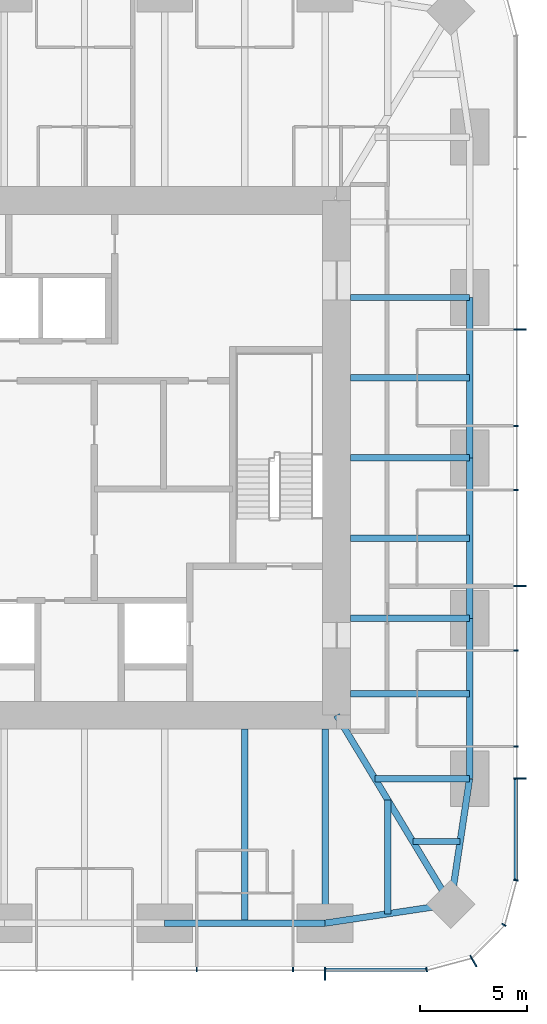
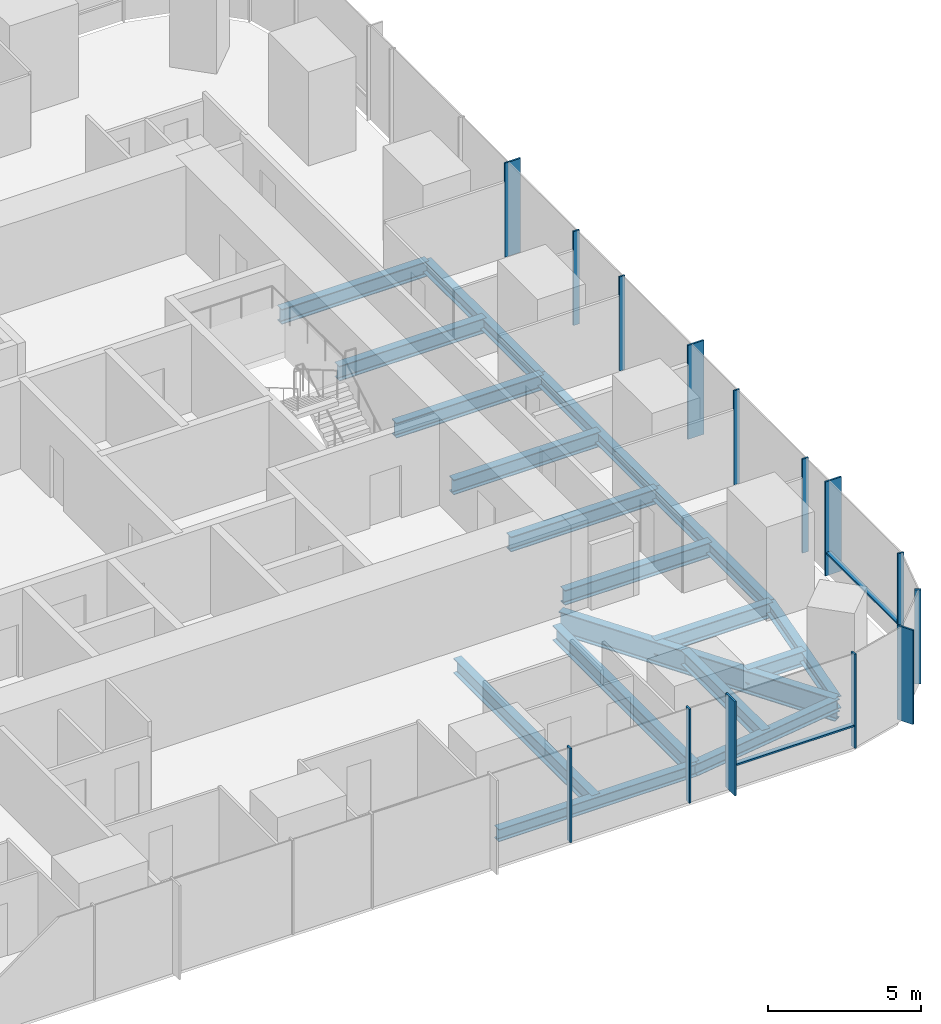
# One storey, part 4 of 12: 18 beams, 16 members, 3 elements without a shape of their own.
"""IFC4 building model written with IfcOpenShell, lengths in metres."""

from ifc_helpers import new_model, si_unit, direction, frame, origin, origin_2d, place, context, subcontext, project, spatial, rectangle, i_section, extrude, material, material_profile, profile_set, type_object, element, aggregate, save


model = new_model("IFC4")

# Units and contexts
model_context = context("Model", 3, precision=1e-05, world=origin(), true_north=direction((0.0, 1.0)))
body_context = subcontext(model_context, "Body", "Model", "MODEL_VIEW")
ifc_project = project(units=[si_unit("LENGTHUNIT", "METRE"), si_unit("AREAUNIT", "SQUARE_METRE"), si_unit("VOLUMEUNIT", "CUBIC_METRE"), si_unit("PLANEANGLEUNIT", "RADIAN"), si_unit("MASSUNIT", "GRAM", prefix="KILO")], contexts=[model_context])

# Site, building, storey
site_placement = place(None, origin())
site = spatial("IfcSite", under=ifc_project, at=site_placement, CompositionType="ELEMENT")
building_placement = place(site_placement, origin())
building = spatial("IfcBuilding", under=site, at=building_placement, Name="Khuree Lantern Residences", CompositionType="ELEMENT")
storey_placement = place(building_placement, frame((0.0, 0.0, 297.0)))
storey = spatial("IfcBuildingStorey", under=building, at=storey_placement, Name="L74", CompositionType="ELEMENT", Elevation=297.0)

# Beams
ifc_material_1 = material(Name="Steel S355", Category="steel")
ifc_material_profile_1 = material_profile(ifc_material_1, i_section(OverallWidth=0.300048828125, OverallDepth=0.590087890625, WebThickness=0.012939453125, FlangeThickness=0.02490234375, FilletRadius=0.027099609375, at=origin_2d()), Name="HE 600 A")
ifc_profile_set_1 = profile_set([ifc_material_profile_1], Name="Steel S355")
beam_type_1 = type_object("IfcBeamType", Name="B-41A SECONDARY BEAM HE 600 A", PredefinedType="BEAM", material=ifc_profile_set_1)
for number, where, z_axis, x_axis, name in (
    (1, (21.699951171875, 3.739990234375, -0.544921875), (-1.0, 0.0, 0.0), (0.0, -1.0, 0.0), "Secondary beam E3"),
    (2, (21.699951171875, -3.739990234375, -0.544921875), (-1.0, 0.0, 0.0), (0.0, -1.0, 0.0), "Secondary beam E4"),
    (3, (21.699951171875, -11.0, -0.544921875), (-1.0, 0.0, 0.0), (0.0, -1.0, 0.0), "Secondary beam E5"),
):
    element("IfcBeam", number, at=place(storey_placement, frame(where, z_axis=z_axis, x_axis=x_axis)), inside=storey, type_object=beam_type_1, Name=name, PredefinedType="BEAM", context=body_context, shape_type="SweptSolid", body=[
        extrude(i_section(OverallWidth=0.300048828125, OverallDepth=0.590087890625, WebThickness=0.012939453125, FlangeThickness=0.02490234375, FilletRadius=0.027099609375, at=origin_2d()), origin(), (0.0, 0.0, 1.0), 5.550048828125),
    ])
beam_1_placement = place(storey_placement, frame((21.2607421875, -17.890625, -0.544921875), z_axis=(-1.0, 0.0, 0.0), x_axis=(0.0, -1.0, 0.0)))
element("IfcBeam", 4, at=beam_1_placement, inside=storey, type_object=beam_type_1, Name="Secondary beam E6", PredefinedType="BEAM", context=body_context, shape_type="SweptSolid", body=[
    extrude(i_section(OverallWidth=0.300048828125, OverallDepth=0.590087890625, WebThickness=0.012939453125, FlangeThickness=0.02490234375, FilletRadius=0.027099609375, at=origin_2d()), origin(), (0.0, 0.0, 1.0), 2.207275390625),
])
beam_2_placement = place(storey_placement, frame((17.890625, -21.2607421875, -0.544921875), z_axis=(0.0, 1.0, 0.0), x_axis=(-1.0, 0.0, 0.0)))
element("IfcBeam", 5, at=beam_2_placement, inside=storey, type_object=beam_type_1, Name="Secondary beam S1", PredefinedType="BEAM", context=body_context, shape_type="SweptSolid", body=[
    extrude(i_section(OverallWidth=0.300048828125, OverallDepth=0.590087890625, WebThickness=0.012939453125, FlangeThickness=0.02490234375, FilletRadius=0.027099609375, at=origin_2d()), origin(), (0.0, 0.0, 1.0), 5.297607421875),
])
beam_3_placement = place(storey_placement, frame((11.219970703125, -21.699951171875, -0.544921875), z_axis=(0.0, 1.0, 0.0), x_axis=(-1.0, 0.0, 0.0)))
element("IfcBeam", 6, at=beam_3_placement, inside=storey, type_object=beam_type_1, Name="Secondary beam S2", PredefinedType="BEAM", context=body_context, shape_type="SweptSolid", body=[
    extrude(i_section(OverallWidth=0.300048828125, OverallDepth=0.590087890625, WebThickness=0.012939453125, FlangeThickness=0.02490234375, FilletRadius=0.027099609375, at=origin_2d()), origin(), (0.0, 0.0, 1.0), 9.050048828125),
])
ifc_material_profile_2 = material_profile(ifc_material_1, i_section(OverallWidth=0.300048828125, OverallDepth=0.489990234375, WebThickness=0.011962890625, FlangeThickness=0.02294921875, FilletRadius=0.027099609375, at=origin_2d()), Name="HE 500 A")
ifc_profile_set_2 = profile_set([ifc_material_profile_2], Name="Steel S355")
beam_type_2 = type_object("IfcBeamType", Name="E-41 SPANDREL BEAM HE 500 A", PredefinedType="SPANDREL", material=ifc_profile_set_2)
for number, where, z_axis, x_axis, name in (
    (7, (21.699951171875, 7.47998046875, -0.4951171875), (0.0, -1.0, 0.0), (1.0, 0.0, 0.0), "Spandrel beam E3"),
    (8, (21.699951171875, 0.0, -0.4951171875), (0.0, -1.0, 0.0), (1.0, 0.0, 0.0), "Spandrel beam E4"),
    (9, (21.699951171875, -7.47998046875, -0.4951171875), (0.0, -1.0, 0.0), (1.0, 0.0, 0.0), "Spandrel beam E5"),
):
    element("IfcBeam", number, at=place(storey_placement, frame(where, z_axis=z_axis, x_axis=x_axis)), inside=storey, type_object=beam_type_2, Name=name, PredefinedType="SPANDREL", context=body_context, shape_type="SweptSolid", body=[
        extrude(i_section(OverallWidth=0.300048828125, OverallDepth=0.489990234375, WebThickness=0.011962890625, FlangeThickness=0.02294921875, FilletRadius=0.027099609375, at=origin_2d()), origin(), (0.0, 0.0, 1.0), 7.47998046875),
    ])
for number, where, z_axis, x_axis, name in (
    (10, (21.699951171875, -14.9599609375, -0.4951171875), (-0.148251822985, -0.988949643299, 0.0), (0.988949643299, -0.148251822985, 0.0), "Spandrel beam E6"),
    (11, (20.8212890625, -20.8212890625, -0.4951171875), (-0.988949643299, -0.148251822985, 0.0), (0.148251822985, -0.988949643299, 0.0), "Spandrel beam S1"),
):
    element("IfcBeam", number, at=place(storey_placement, frame(where, z_axis=z_axis, x_axis=x_axis)), inside=storey, type_object=beam_type_2, Name=name, PredefinedType="SPANDREL", context=body_context, shape_type="SweptSolid", body=[
        extrude(i_section(OverallWidth=0.300048828125, OverallDepth=0.489990234375, WebThickness=0.011962890625, FlangeThickness=0.02294921875, FilletRadius=0.027099609375, at=origin_2d()), origin(), (0.0, 0.0, 1.0), 5.9267578125),
    ])
beam_4_placement = place(storey_placement, frame((14.9599609375, -21.699951171875, -0.4951171875), z_axis=(-1.0, 0.0, 0.0), x_axis=(0.0, -1.0, 0.0)))
element("IfcBeam", 12, at=beam_4_placement, inside=storey, type_object=beam_type_2, Name="Spandrel beam S2", PredefinedType="SPANDREL", context=body_context, shape_type="SweptSolid", body=[
    extrude(i_section(OverallWidth=0.300048828125, OverallDepth=0.489990234375, WebThickness=0.011962890625, FlangeThickness=0.02294921875, FilletRadius=0.027099609375, at=origin_2d()), origin(), (0.0, 0.0, 1.0), 7.47998046875),
])

# Curtain wall, member
ifc_material_2 = material(Name="Bronze anodised aluminium", Category="aluminium")
curtain_wall_type_1 = type_object("IfcCurtainWallType", Name="CW-T2 TOWER CORNER CURTAIN WALL", PredefinedType="USERDEFINED", material=ifc_material_2)
curtain_wall_1_placement = place(storey_placement, origin())
curtain_wall_1 = element("IfcCurtainWall", 13, at=curtain_wall_1_placement, inside=storey, type_object=curtain_wall_type_1, Name="L74 SOUTH-EAST CORNER CURTAIN WALL", ObjectType="Faceted corner curtain wall", PredefinedType="USERDEFINED")
ifc_material_profile_3 = material_profile(ifc_material_2, rectangle(XDim=0.06494140625, YDim=0.60009765625, at=origin_2d()), Name="F1 65X600")
ifc_profile_set_3 = profile_set([ifc_material_profile_3], Name="Bronze anodised aluminium")
member_type_1 = type_object("IfcMemberType", Name="F1 BRONZE FIN MULLION TOWER 65X600", PredefinedType="MULLION", material=ifc_profile_set_3)
member_1_placement = place(storey_placement, frame((21.875, -23.46728515625, 0.0), z_axis=(0.0, 0.0, 1.0), x_axis=(0.866025437565, 0.49999994149, 0.0)))
member_1 = element("IfcMember", 14, at=member_1_placement, type_object=member_type_1, Name="L74 SOUTH-EAST CORNER FIN MULLION 2", PredefinedType="MULLION", context=body_context, shape_type="SweptSolid", body=[
    extrude(rectangle(XDim=0.06494140625, YDim=0.60009765625, at=origin_2d()), origin(), (0.0, 0.0, 1.0), 3.75),
])

# Curtain wall, members
curtain_wall_type_2 = type_object("IfcCurtainWallType", Name="CW-T1 TOWER FACE CURTAIN WALL", PredefinedType="USERDEFINED", material=ifc_material_2)
curtain_wall_2_placement = place(storey_placement, origin())
curtain_wall_2 = element("IfcCurtainWall", 15, at=curtain_wall_2_placement, inside=storey, type_object=curtain_wall_type_2, Name="L74 EAST FACE CURTAIN WALL", ObjectType="Stick-built curtain wall", PredefinedType="USERDEFINED")
member_2_placement = place(storey_placement, frame((24.050048828125, -14.9599609375, 0.0), z_axis=(0.0, 0.0, 1.0), x_axis=(0.0, 1.0, 0.0)))
member_2 = element("IfcMember", 16, at=member_2_placement, type_object=member_type_1, Name="L74 EAST FACE FIN MULLION 5", PredefinedType="MULLION", context=body_context, shape_type="SweptSolid", body=[
    extrude(rectangle(XDim=0.06494140625, YDim=0.60009765625, at=origin_2d()), origin(), (0.0, 0.0, 1.0), 3.75),
])
member_3_placement = place(storey_placement, frame((24.050048828125, -5.98388671875, 0.0), z_axis=(0.0, 0.0, 1.0), x_axis=(0.0, 1.0, 0.0)))
member_3 = element("IfcMember", 17, at=member_3_placement, type_object=member_type_1, Name="L74 EAST FACE FIN MULLION 8", PredefinedType="MULLION", context=body_context, shape_type="SweptSolid", body=[
    extrude(rectangle(XDim=0.06494140625, YDim=0.60009765625, at=origin_2d()), origin(), (0.0, 0.0, 1.0), 3.75),
])
member_4_placement = place(storey_placement, frame((24.050048828125, 5.98388671875, 0.0), z_axis=(0.0, 0.0, 1.0), x_axis=(0.0, 1.0, 0.0)))
member_4 = element("IfcMember", 18, at=member_4_placement, type_object=member_type_1, Name="L74 EAST FACE FIN MULLION 11", PredefinedType="MULLION", context=body_context, shape_type="SweptSolid", body=[
    extrude(rectangle(XDim=0.06494140625, YDim=0.60009765625, at=origin_2d()), origin(), (0.0, 0.0, 1.0), 3.75),
])

# Curtain wall, member
curtain_wall_3_placement = place(storey_placement, origin())
curtain_wall_3 = element("IfcCurtainWall", 19, at=curtain_wall_3_placement, inside=storey, type_object=curtain_wall_type_2, Name="L74 SOUTH FACE CURTAIN WALL", ObjectType="Stick-built curtain wall", PredefinedType="USERDEFINED")
member_5_placement = place(storey_placement, frame((14.9599609375, -24.050048828125, 0.0), z_axis=(0.0, 0.0, 1.0), x_axis=(1.0, 0.0, 0.0)))
member_5 = element("IfcMember", 20, at=member_5_placement, type_object=member_type_1, Name="L74 SOUTH FACE FIN MULLION 56", PredefinedType="MULLION", context=body_context, shape_type="SweptSolid", body=[
    extrude(rectangle(XDim=0.06494140625, YDim=0.60009765625, at=origin_2d()), origin(), (0.0, 0.0, 1.0), 3.75),
])

# Beams
ifc_material_profile_4 = material_profile(ifc_material_1, i_section(OverallWidth=0.300048828125, OverallDepth=0.60009765625, WebThickness=0.015380859375, FlangeThickness=0.030029296875, FilletRadius=0.027099609375, at=origin_2d()), Name="HE 600 B")
ifc_profile_set_4 = profile_set([ifc_material_profile_4], Name="Steel S355")
beam_type_3 = type_object("IfcBeamType", Name="G-41 GIRDER HE 600 B", PredefinedType="BEAM", material=ifc_profile_set_4)
for number, where, z_axis, x_axis, name in (
    (21, (21.699951171875, 7.47998046875, -0.550048828125), (-1.0, 0.0, 0.0), (0.0, -1.0, 0.0), "Girder E2"),
    (22, (21.699951171875, 0.0, -0.550048828125), (-1.0, 0.0, 0.0), (0.0, -1.0, 0.0), "Girder E3"),
    (23, (21.699951171875, -7.47998046875, -0.550048828125), (-1.0, 0.0, 0.0), (0.0, -1.0, 0.0), "Girder E4"),
):
    element("IfcBeam", number, at=place(storey_placement, frame(where, z_axis=z_axis, x_axis=x_axis)), inside=storey, type_object=beam_type_3, Name=name, PredefinedType="BEAM", context=body_context, shape_type="SweptSolid", body=[
        extrude(i_section(OverallWidth=0.300048828125, OverallDepth=0.60009765625, WebThickness=0.015380859375, FlangeThickness=0.030029296875, FilletRadius=0.027099609375, at=origin_2d()), origin(), (0.0, 0.0, 1.0), 5.550048828125),
    ])
beam_5_placement = place(storey_placement, frame((21.699951171875, -14.9599609375, -0.550048828125), z_axis=(-1.0, 0.0, 0.0), x_axis=(0.0, -1.0, 0.0)))
element("IfcBeam", 24, at=beam_5_placement, inside=storey, type_object=beam_type_3, Name="Girder E5", PredefinedType="BEAM", context=body_context, shape_type="SweptSolid", body=[
    extrude(i_section(OverallWidth=0.300048828125, OverallDepth=0.60009765625, WebThickness=0.015380859375, FlangeThickness=0.030029296875, FilletRadius=0.027099609375, at=origin_2d()), origin(), (0.0, 0.0, 1.0), 4.414306640625),
])
beam_6_placement = place(storey_placement, frame((14.9599609375, -21.699951171875, -0.550048828125), z_axis=(0.0, 1.0, 0.0), x_axis=(-1.0, 0.0, 0.0)))
element("IfcBeam", 25, at=beam_6_placement, inside=storey, type_object=beam_type_3, Name="Girder S1", PredefinedType="BEAM", context=body_context, shape_type="SweptSolid", body=[
    extrude(i_section(OverallWidth=0.300048828125, OverallDepth=0.60009765625, WebThickness=0.015380859375, FlangeThickness=0.030029296875, FilletRadius=0.027099609375, at=origin_2d()), origin(), (0.0, 0.0, 1.0), 9.050048828125),
])
ifc_material_profile_5 = material_profile(ifc_material_1, i_section(OverallWidth=0.300048828125, OverallDepth=0.89990234375, WebThickness=0.0185546875, FlangeThickness=0.034912109375, FilletRadius=0.030029296875, at=origin_2d()), Name="HE 900 B")
ifc_profile_set_5 = profile_set([ifc_material_profile_5], Name="Steel S355")
beam_type_4 = type_object("IfcBeamType", Name="GD-41 CORNER GIRDER HE 900 B", PredefinedType="BEAM", material=ifc_profile_set_5)
beam_7_placement = place(storey_placement, frame((20.8212890625, -20.8212890625, -0.699951171875), z_axis=(-0.516529577604, 0.856269347495, 0.0), x_axis=(-0.856269347495, -0.516529577604, 0.0)))
element("IfcBeam", 26, at=beam_7_placement, inside=storey, type_object=beam_type_4, Name="Corner girder SE", PredefinedType="BEAM", context=body_context, shape_type="SweptSolid", body=[
    extrude(i_section(OverallWidth=0.300048828125, OverallDepth=0.89990234375, WebThickness=0.0185546875, FlangeThickness=0.034912109375, FilletRadius=0.030029296875, at=origin_2d()), origin(), (0.0, 0.0, 1.0), 10.302001953125),
])

# Member
ifc_material_profile_6 = material_profile(ifc_material_2, rectangle(XDim=0.06494140625, YDim=0.219970703125, at=origin_2d()), Name="M1 65X220")
ifc_profile_set_6 = profile_set([ifc_material_profile_6], Name="Bronze anodised aluminium")
member_type_2 = type_object("IfcMemberType", Name="M1 BRONZE MULLION TOWER 65X220", PredefinedType="MULLION", material=ifc_profile_set_6)
member_6_placement = place(storey_placement, frame((19.695068359375, -23.86181640625, 0.0), z_axis=(0.0, 0.0, 1.0), x_axis=(0.991444870192, 0.130526125236, 0.0)))
member_6 = element("IfcMember", 27, at=member_6_placement, type_object=member_type_2, Name="L74 SOUTH-EAST CORNER MULLION 1", PredefinedType="MULLION", context=body_context, shape_type="SweptSolid", body=[
    extrude(rectangle(XDim=0.06494140625, YDim=0.219970703125, at=origin_2d()), origin(), (0.0, 0.0, 1.0), 3.75),
])

member_7_placement = place(storey_placement, frame((23.302734375, -21.780029296875, 0.0), z_axis=(0.0, 0.0, 1.0), x_axis=(0.49999994149, 0.866025437565, 0.0)))
member_7 = element("IfcMember", 28, at=member_7_placement, type_object=member_type_2, Name="L74 SOUTH-EAST CORNER MULLION 3", PredefinedType="MULLION", context=body_context, shape_type="SweptSolid", body=[
    extrude(rectangle(XDim=0.06494140625, YDim=0.219970703125, at=origin_2d()), origin(), (0.0, 0.0, 1.0), 3.75),
])

aggregate(curtain_wall_1, [member_6, member_1, member_7])

member_8_placement = place(storey_placement, frame((23.86181640625, -19.695068359375, 0.0), z_axis=(0.0, 0.0, 1.0), x_axis=(0.130526125236, 0.991444870192, 0.0)))
member_8 = element("IfcMember", 29, at=member_8_placement, type_object=member_type_2, Name="L74 EAST FACE MULLION 4", PredefinedType="MULLION", context=body_context, shape_type="SweptSolid", body=[
    extrude(rectangle(XDim=0.06494140625, YDim=0.219970703125, at=origin_2d()), origin(), (0.0, 0.0, 1.0), 3.75),
])

member_9_placement = place(storey_placement, frame((23.860107421875, -13.464111328125, 0.0), z_axis=(0.0, 0.0, 1.0), x_axis=(0.0, 1.0, 0.0)))
member_9 = element("IfcMember", 30, at=member_9_placement, type_object=member_type_2, Name="L74 EAST FACE MULLION 6", PredefinedType="MULLION", context=body_context, shape_type="SweptSolid", body=[
    extrude(rectangle(XDim=0.06494140625, YDim=0.219970703125, at=origin_2d()), origin(), (0.0, 0.0, 1.0), 3.75),
])

member_10_placement = place(storey_placement, frame((23.860107421875, -8.97607421875, 0.0), z_axis=(0.0, 0.0, 1.0), x_axis=(0.0, 1.0, 0.0)))
member_10 = element("IfcMember", 31, at=member_10_placement, type_object=member_type_2, Name="L74 EAST FACE MULLION 7", PredefinedType="MULLION", context=body_context, shape_type="SweptSolid", body=[
    extrude(rectangle(XDim=0.06494140625, YDim=0.219970703125, at=origin_2d()), origin(), (0.0, 0.0, 1.0), 3.75),
])

member_11_placement = place(storey_placement, frame((23.860107421875, -1.49609375, 0.0), z_axis=(0.0, 0.0, 1.0), x_axis=(0.0, 1.0, 0.0)))
member_11 = element("IfcMember", 32, at=member_11_placement, type_object=member_type_2, Name="L74 EAST FACE MULLION 9", PredefinedType="MULLION", context=body_context, shape_type="SweptSolid", body=[
    extrude(rectangle(XDim=0.06494140625, YDim=0.219970703125, at=origin_2d()), origin(), (0.0, 0.0, 1.0), 3.75),
])

member_12_placement = place(storey_placement, frame((23.860107421875, 1.49609375, 0.0), z_axis=(0.0, 0.0, 1.0), x_axis=(0.0, 1.0, 0.0)))
member_12 = element("IfcMember", 33, at=member_12_placement, type_object=member_type_2, Name="L74 EAST FACE MULLION 10", PredefinedType="MULLION", context=body_context, shape_type="SweptSolid", body=[
    extrude(rectangle(XDim=0.06494140625, YDim=0.219970703125, at=origin_2d()), origin(), (0.0, 0.0, 1.0), 3.75),
])

member_13_placement = place(storey_placement, frame((8.97607421875, -23.860107421875, 0.0), z_axis=(0.0, 0.0, 1.0), x_axis=(1.0, 0.0, 0.0)))
member_13 = element("IfcMember", 34, at=member_13_placement, type_object=member_type_2, Name="L74 SOUTH FACE MULLION 54", PredefinedType="MULLION", context=body_context, shape_type="SweptSolid", body=[
    extrude(rectangle(XDim=0.06494140625, YDim=0.219970703125, at=origin_2d()), origin(), (0.0, 0.0, 1.0), 3.75),
])

member_14_placement = place(storey_placement, frame((13.464111328125, -23.860107421875, 0.0), z_axis=(0.0, 0.0, 1.0), x_axis=(1.0, 0.0, 0.0)))
member_14 = element("IfcMember", 35, at=member_14_placement, type_object=member_type_2, Name="L74 SOUTH FACE MULLION 55", PredefinedType="MULLION", context=body_context, shape_type="SweptSolid", body=[
    extrude(rectangle(XDim=0.06494140625, YDim=0.219970703125, at=origin_2d()), origin(), (0.0, 0.0, 1.0), 3.75),
])

ifc_material_profile_7 = material_profile(ifc_material_2, rectangle(XDim=0.179931640625, YDim=0.06494140625, at=origin_2d()), Name="T1 180X65")
ifc_profile_set_7 = profile_set([ifc_material_profile_7], Name="Bronze anodised aluminium")
member_type_3 = type_object("IfcMemberType", Name="TRANSOM T1 TOWER 180X65", PredefinedType="USERDEFINED", material=ifc_profile_set_7)
member_15_placement = place(storey_placement, frame((23.8701171875, -19.6513671875, 0.89990234375), z_axis=(0.0, 1.0, 0.0), x_axis=(-1.0, 0.0, 0.0)))
member_15 = element("IfcMember", 36, at=member_15_placement, type_object=member_type_3, Name="L74 EAST FACE TRANSOM 4.1", ObjectType="Transom", PredefinedType="USERDEFINED", context=body_context, shape_type="SweptSolid", body=[
    extrude(rectangle(XDim=0.179931640625, YDim=0.06494140625, at=origin_2d()), origin(), (0.0, 0.0, 1.0), 4.658935546875),
])

aggregate(curtain_wall_2, [member_8, member_2, member_9, member_10, member_3, member_11, member_12, member_4, member_15])

member_16_placement = place(storey_placement, frame((14.992431640625, -23.8701171875, 0.89990234375), z_axis=(1.0, 0.0, 0.0), x_axis=(0.0, 1.0, 0.0)))
member_16 = element("IfcMember", 37, at=member_16_placement, type_object=member_type_3, Name="L74 SOUTH FACE TRANSOM 56.1", ObjectType="Transom", PredefinedType="USERDEFINED", context=body_context, shape_type="SweptSolid", body=[
    extrude(rectangle(XDim=0.179931640625, YDim=0.06494140625, at=origin_2d()), origin(), (0.0, 0.0, 1.0), 4.658935546875),
])

aggregate(curtain_wall_3, [member_13, member_14, member_5, member_16])

save(model, "model.ifc")
